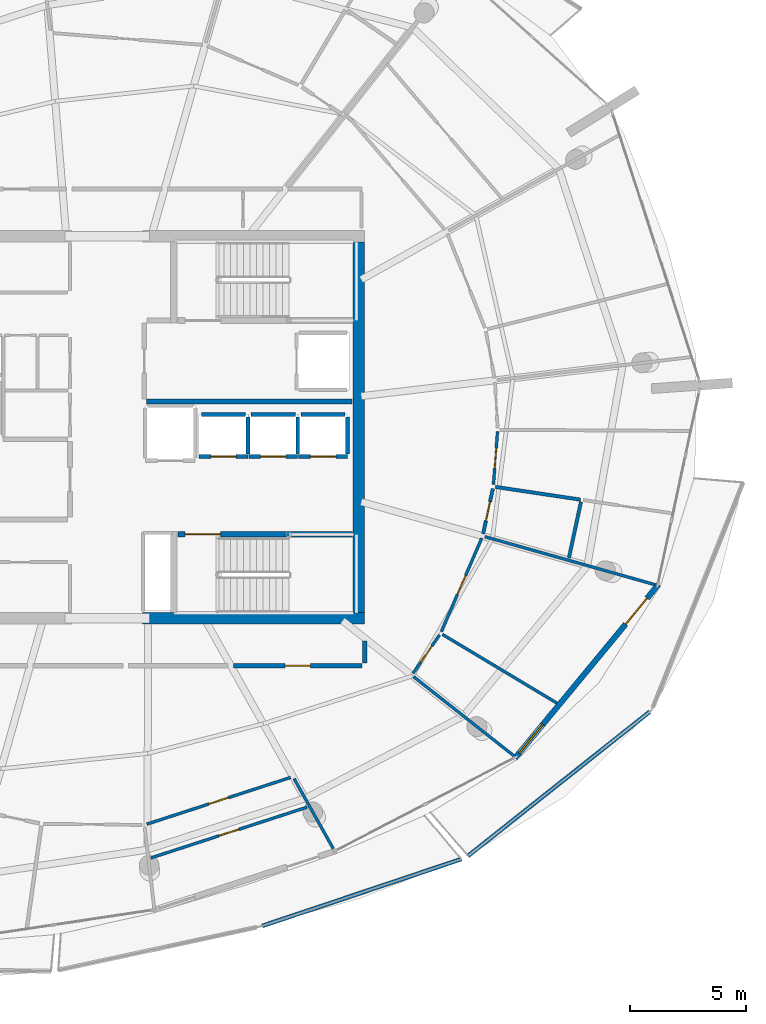
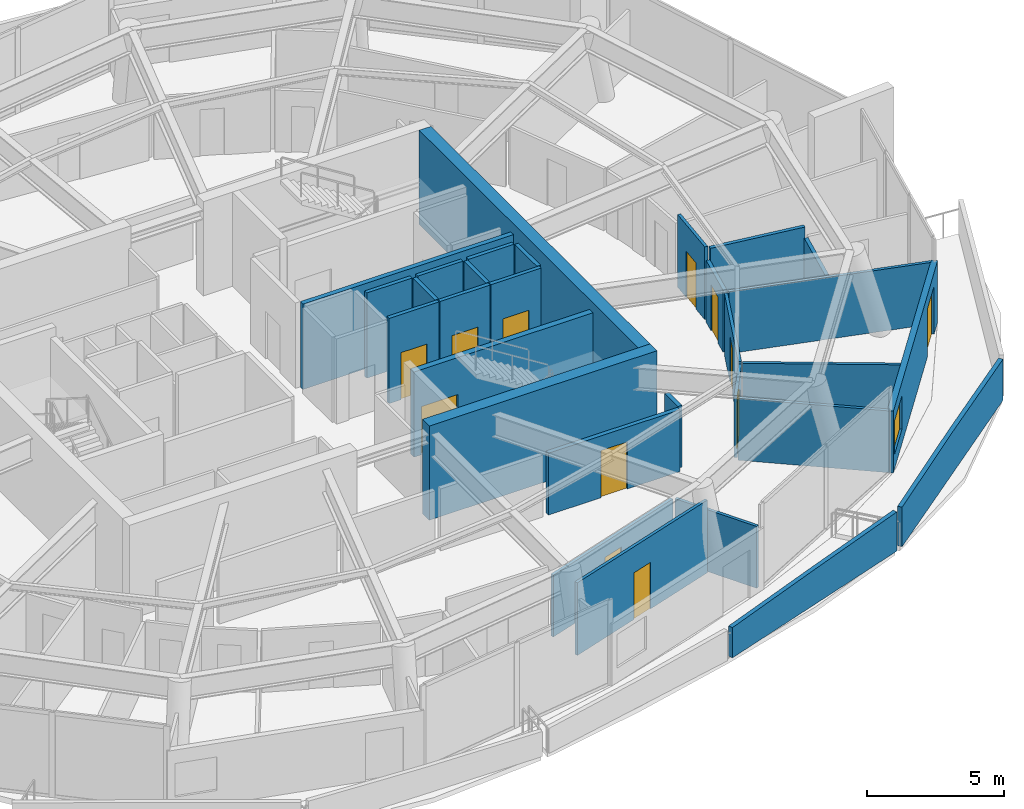
# One storey, part 11 of 19: 30 walls, 12 doors, 1 window, 13 openings.
"""IFC4 building model written with IfcOpenShell, lengths in metres."""

from ifc_helpers import new_model, si_unit, direction, frame, frame_2d, origin, place, context, subcontext, project, spatial, polyline, rectangle, outline, extrude, material, layer, layer_set, type_object, element, fill, save


model = new_model("IFC4")

# Units and contexts
model_context = context("Model", 3, precision=1e-05, world=origin(), true_north=direction((0.0, 1.0)))
body_context = subcontext(model_context, "Body", "Model", "MODEL_VIEW")
ifc_project = project(units=[si_unit("LENGTHUNIT", "METRE"), si_unit("AREAUNIT", "SQUARE_METRE"), si_unit("VOLUMEUNIT", "CUBIC_METRE"), si_unit("PLANEANGLEUNIT", "RADIAN"), si_unit("MASSUNIT", "GRAM", prefix="KILO")], contexts=[model_context])

# Site, building, storey
site_placement = place(None, origin())
site = spatial("IfcSite", under=ifc_project, at=site_placement, CompositionType="ELEMENT")
building_placement = place(site_placement, origin())
building = spatial("IfcBuilding", under=site, at=building_placement, Name="Kazma Halo Residences", CompositionType="ELEMENT")
storey_placement = place(building_placement, frame((0.0, 0.0, 347.300048828125)))
storey = spatial("IfcBuildingStorey", under=building, at=storey_placement, Name="L87", CompositionType="ELEMENT", Elevation=347.300048828125)

# Walls
ifc_material_1 = material(Name="White Concrete C50/60 Balustrade", Category="concrete")
ifc_layer_1 = layer(ifc_material_1, 0.179931640625)
ifc_layer_set_1 = layer_set([ifc_layer_1], Name="White Concrete C50/60 Balustrade")
wall_type_1 = type_object("IfcWallType", Name="WL-BAL-WAVE-180", PredefinedType="PARAPET", material=ifc_layer_set_1)
wall_1_placement = place(storey_placement, frame((55.124755859375, 20.460693359375, 0.0), z_axis=(0.0, 0.0, 1.0), x_axis=(0.948054956489, 0.318106585089, 0.0)))
element("IfcWall", 1, at=wall_1_placement, inside=storey, type_object=wall_type_1, Name="L87 white wave balustrade wall SSE.2", PredefinedType="PARAPET", context=body_context, shape_type="SweptSolid", body=[
    extrude(outline(polyline([(0.0, 0.0), (9.080078125, 0.0), (9.080078125, 1.7470703125), (4.5400390625, 1.56201171875), (0.0, 1.347900390625), (0.0, 0.0)])), frame((0.0, 0.08984375, 0.0), z_axis=(0.0, -1.0, 0.0), x_axis=(1.0, 0.0, 0.0)), (0.0, 0.0, 1.0), 0.179931640625),
])
wall_2_placement = place(storey_placement, frame((64.011962890625, 23.482666015625, 0.0), z_axis=(0.0, 0.0, 1.0), x_axis=(0.78337055778, 0.621554960727, 0.0)))
element("IfcWall", 2, at=wall_2_placement, inside=storey, type_object=wall_type_1, Name="L87 white wave balustrade wall SE.1", PredefinedType="PARAPET", context=body_context, shape_type="SweptSolid", body=[
    extrude(outline(polyline([(0.0, 0.0), (10.02880859375, 0.0), (10.02880859375, 1.83203125), (5.014404296875, 1.85302734375), (0.0, 1.755859375), (0.0, 0.0)])), frame((0.0, 0.08984375, 0.0), z_axis=(0.0, -1.0, 0.0), x_axis=(1.0, 0.0, 0.0)), (0.0, 0.0, 1.0), 0.179931640625),
])
ifc_material_2 = material(Name="Concrete C60/75", Category="concrete")
ifc_layer_2 = layer(ifc_material_2, 0.5)
ifc_layer_set_2 = layer_set([ifc_layer_2], Name="Concrete C60/75")
wall_type_2 = type_object("IfcWallType", Name="WL-CORE-500", PredefinedType="SHEAR", material=ifc_layer_set_2)
wall_3_placement = place(storey_placement, frame((49.949951171875, 33.75, 0.0), z_axis=(0.0, 0.0, 1.0), x_axis=(1.0, 0.0, 0.0)))
element("IfcWall", 3, at=wall_3_placement, inside=storey, type_object=wall_type_2, Name="L87 central core shear wall SE", PredefinedType="SHEAR", context=body_context, shape_type="SweptSolid", body=[
    extrude(rectangle(XDim=9.60009765625, YDim=0.5, at=frame_2d((4.800048828125, 0.0))), origin(), (0.0, 0.0, 1.0), 4.199951171875),
])
wall_4_placement = place(storey_placement, frame((59.300048828125, 34.0, 0.0), z_axis=(0.0, 0.0, 1.0), x_axis=(0.0, 1.0, 0.0)))
element("IfcWall", 4, at=wall_4_placement, inside=storey, type_object=wall_type_2, Name="L87 central core shear wall E", PredefinedType="SHEAR", context=body_context, shape_type="SweptSolid", body=[
    extrude(rectangle(XDim=16.0, YDim=0.5, at=frame_2d((8.0, 0.0))), origin(), (0.0, 0.0, 1.0), 4.199951171875),
])

# Wall, opening, door
ifc_material_3 = material(Name="Acoustic Twin-Stud Gypsum")
ifc_layer_3 = layer(ifc_material_3, 0.179931640625)
ifc_layer_set_3 = layer_set([ifc_layer_3], Name="Acoustic Twin-Stud Gypsum")
wall_type_3 = type_object("IfcWallType", Name="WL-DEM-180", PredefinedType="PARTITIONING", material=ifc_layer_set_3)
wall_5_placement = place(storey_placement, frame((53.88818359375, 31.699951171875, 0.0), z_axis=(0.0, 0.0, 1.0), x_axis=(1.0, 0.0, 0.0)))
wall_5 = element("IfcWall", 5, at=wall_5_placement, inside=storey, type_object=wall_type_3, Name="L87 Penthouse 2 entrance corridor wall", PredefinedType="PARTITIONING", context=body_context, shape_type="SweptSolid", body=[
    extrude(rectangle(XDim=5.541748046875, YDim=0.179931640625, at=frame_2d((2.77099609375, 0.0))), origin(), (0.0, 0.0, 1.0), 2.7568359375),
])
opening_1_placement = place(wall_5_placement, frame((2.220703125, 0.0, 0.0)))
opening_1 = element("IfcOpeningElement", 6, at=opening_1_placement, cuts=wall_5, Name="Opening DA-1100", PredefinedType="OPENING", context=body_context, shape_type="SweptSolid", body=[
    extrude(rectangle(XDim=1.10009765625, YDim=2.10009765625, at=frame_2d((0.550048828125, 1.050048828125))), frame((0.0, 0.099853515625, 0.0), z_axis=(0.0, -1.0, 0.0), x_axis=(1.0, 0.0, 0.0)), (0.0, 0.0, 1.0), 0.199951171875),
])
ifc_material_4 = material(Name="Acoustic Walnut Fire Leaf")
door_type_1 = type_object("IfcDoorType", Name="DR-FD60-1100", OperationType="NOTDEFINED", PredefinedType="DOOR", material=ifc_material_4)
door_1_placement = place(opening_1_placement, origin())
door_1 = element("IfcDoor", 7, at=door_1_placement, inside=storey, type_object=door_type_1, Name="L87 Penthouse 2 entrance fire door", OperationType="SINGLE_SWING_RIGHT", OverallHeight=2.10009765625, OverallWidth=1.10009765625, PredefinedType="DOOR", context=body_context, shape_type="SweptSolid", body=[
    extrude(rectangle(XDim=1.10009765625, YDim=2.10009765625, at=frame_2d((0.550048828125, 1.050048828125))), frame((0.0, 0.02490234375, 0.0), z_axis=(0.0, -1.0, 0.0), x_axis=(1.0, 0.0, 0.0)), (0.0, 0.0, 1.0), 0.050048828125),
])
fill(opening_1, door_1)

# Wall
wall_6_placement = place(storey_placement, frame((59.550048828125, 31.820068359375, 0.0), z_axis=(0.0, 0.0, 1.0), x_axis=(0.0, 1.0, 0.0)))
element("IfcWall", 8, at=wall_6_placement, inside=storey, type_object=wall_type_3, Name="L87 Penthouse 2 entrance corridor wall", PredefinedType="PARTITIONING", context=body_context, shape_type="SweptSolid", body=[
    extrude(rectangle(XDim=0.95458984375, YDim=0.179931640625, at=frame_2d((0.477294921875, 0.0))), origin(), (0.0, 0.0, 1.0), 2.7568359375),
])

# Wall, openings, door, window
ifc_material_5 = material(Name="Insulated Pale-Metal Composite Wall")
ifc_layer_4 = layer(ifc_material_5, 0.239990234375)
ifc_layer_set_4 = layer_set([ifc_layer_4], Name="Insulated Pale-Metal Composite Wall")
wall_type_4 = type_object("IfcWallType", Name="WL-EXT-HOST-240", PredefinedType="SOLIDWALL", material=ifc_layer_set_4)
wall_7_placement = place(storey_placement, frame((66.044677734375, 27.711181640625, 0.0), z_axis=(0.0, 0.0, 1.0), x_axis=(0.636803612721, 0.771026042897, 0.0)))
wall_7 = element("IfcWall", 9, at=wall_7_placement, inside=storey, type_object=wall_type_4, Name="L87 exterior terrace-access wall B14", PredefinedType="SOLIDWALL", context=body_context, shape_type="SweptSolid", body=[
    extrude(rectangle(XDim=9.7275390625, YDim=0.239990234375, at=frame_2d((4.86376953125, 0.0))), origin(), (0.0, 0.0, 1.0), 2.75),
])
opening_2_placement = place(wall_7_placement, frame((7.5078125, 0.0, 0.0)))
opening_2 = element("IfcOpeningElement", 10, at=opening_2_placement, cuts=wall_7, Name="Opening DTR-1600", PredefinedType="OPENING", context=body_context, shape_type="SweptSolid", body=[
    extrude(rectangle(XDim=1.449951171875, YDim=2.14990234375, at=frame_2d((0.72509765625, 1.074951171875))), frame((0.0, 0.1298828125, 0.0), z_axis=(0.0, -1.0, 0.0), x_axis=(1.0, 0.0, 0.0)), (0.0, 0.0, 1.0), 0.260009765625),
])
opening_3_placement = place(wall_7_placement, frame((0.280029296875, 0.0, 0.64990234375)))
opening_3 = element("IfcOpeningElement", 11, at=opening_3_placement, cuts=wall_7, Name="Opening W-1800", PredefinedType="OPENING", context=body_context, shape_type="SweptSolid", body=[
    extrude(rectangle(XDim=1.60009765625, YDim=1.5, at=frame_2d((0.800048828125, 0.75))), frame((0.0, 0.1298828125, 0.0), z_axis=(0.0, -1.0, 0.0), x_axis=(1.0, 0.0, 0.0)), (0.0, 0.0, 1.0), 0.260009765625),
])
ifc_material_6 = material(Name="Aluminium AW-6063 T6 Double-Glazed Terrace Door", Category="aluminium")
door_type_2 = type_object("IfcDoorType", Name="DR-EXT-TERR-1600", OperationType="NOTDEFINED", PredefinedType="DOOR", material=ifc_material_6)
door_2_placement = place(opening_2_placement, origin())
door_2 = element("IfcDoor", 12, at=door_2_placement, inside=storey, type_object=door_type_2, Name="L87 B14 balcony terrace door", OperationType="DOUBLE_DOOR_SLIDING", OverallHeight=2.14990234375, OverallWidth=1.449951171875, PredefinedType="DOOR", context=body_context, shape_type="SweptSolid", body=[
    extrude(rectangle(XDim=1.449951171875, YDim=2.14990234375, at=frame_2d((0.72509765625, 1.074951171875))), frame((0.0, 0.02490234375, 0.0), z_axis=(0.0, -1.0, 0.0), x_axis=(1.0, 0.0, 0.0)), (0.0, 0.0, 1.0), 0.050048828125),
])
fill(opening_2, door_2)
ifc_material_7 = material(Name="Clear Triple-Silver Low-E Glass in Aluminium AW-6063 T6 Frame", Category="aluminium")
window_type = type_object("IfcWindowType", Name="WIN-RES-1800", PartitioningType="DOUBLE_PANEL_VERTICAL", PredefinedType="WINDOW", material=ifc_material_7)
window_placement = place(opening_3_placement, origin())
window = element("IfcWindow", 13, at=window_placement, inside=storey, type_object=window_type, Name="L87 B14 apartment window", OverallHeight=1.5, OverallWidth=1.60009765625, PartitioningType="SINGLE_PANEL", PredefinedType="WINDOW", context=body_context, shape_type="SweptSolid", body=[
    extrude(rectangle(XDim=1.60009765625, YDim=1.5, at=frame_2d((0.800048828125, 0.75))), frame((0.0, 0.030029296875, 0.0), z_axis=(0.0, -1.0, 0.0), x_axis=(1.0, 0.0, 0.0)), (0.0, 0.0, 1.0), 0.06005859375),
])
fill(opening_3, window)

# Wall, opening, door
ifc_material_8 = material(Name="Fire-Rated Blockwork Masonry", Category="masonry")
ifc_layer_5 = layer(ifc_material_8, 0.199951171875)
ifc_layer_set_5 = layer_set([ifc_layer_5], Name="Fire-Rated Blockwork Masonry")
wall_type_5 = type_object("IfcWallType", Name="WL-FLB-200", PredefinedType="PARTITIONING", material=ifc_layer_set_5)
wall_8_placement = place(storey_placement, frame((54.5048828125, 40.7451171875, 0.0), z_axis=(0.0, 0.0, 1.0), x_axis=(-1.0, 0.0, 0.0)))
wall_8 = element("IfcWall", 14, at=wall_8_placement, inside=storey, type_object=wall_type_5, Name="L87 lift shaft PH-01 front wall", PredefinedType="PARTITIONING", context=body_context, shape_type="SweptSolid", body=[
    extrude(rectangle(XDim=2.10986328125, YDim=0.159912109375, at=frame_2d((1.054931640625, 0.0))), origin(), (0.0, 0.0, 1.0), 3.800048828125),
])
opening_4_placement = place(wall_8_placement, frame((0.5048828125, 0.0, 0.0)))
opening_4 = element("IfcOpeningElement", 15, at=opening_4_placement, cuts=wall_8, Name="Opening LD-PH-01", PredefinedType="OPENING", context=body_context, shape_type="SweptSolid", body=[
    extrude(rectangle(XDim=1.10009765625, YDim=2.10009765625, at=frame_2d((0.550048828125, 1.050048828125))), frame((0.0, 0.08984375, 0.0), z_axis=(0.0, -1.0, 0.0), x_axis=(1.0, 0.0, 0.0)), (0.0, 0.0, 1.0), 0.179931640625),
])
ifc_material_9 = material(Name="Stainless Steel Fire-Rated", Category="steel")
door_type_3 = type_object("IfcDoorType", Name="DR-LIFT-SLD-1100", OperationType="DOUBLE_DOOR_SLIDING", PredefinedType="DOOR", material=ifc_material_9)
door_3_placement = place(opening_4_placement, origin())
door_3 = element("IfcDoor", 16, at=door_3_placement, inside=storey, type_object=door_type_3, Name="L87 lift PH-01 sliding landing door", OperationType="DOUBLE_DOOR_SLIDING", OverallHeight=2.10009765625, OverallWidth=1.10009765625, PredefinedType="DOOR", context=body_context, shape_type="SweptSolid", body=[
    extrude(rectangle(XDim=1.10009765625, YDim=2.10009765625, at=frame_2d((0.550048828125, 1.050048828125))), frame((0.0, 0.02490234375, 0.0), z_axis=(0.0, -1.0, 0.0), x_axis=(1.0, 0.0, 0.0)), (0.0, 0.0, 1.0), 0.050048828125),
])
fill(opening_4, door_3)

# Walls
wall_9_placement = place(storey_placement, frame((54.5048828125, 40.844970703125, 0.0), z_axis=(0.0, 0.0, 1.0), x_axis=(0.0, 1.0, 0.0)))
element("IfcWall", 17, at=wall_9_placement, inside=storey, type_object=wall_type_5, Name="L87 lift shaft PH-01 side wall E", PredefinedType="PARTITIONING", context=body_context, shape_type="SweptSolid", body=[
    extrude(rectangle(XDim=1.610107421875, YDim=0.159912109375, at=frame_2d((0.80517578125, 0.0))), origin(), (0.0, 0.0, 1.0), 3.800048828125),
])
wall_10_placement = place(storey_placement, frame((52.4951171875, 42.554931640625, 0.0), z_axis=(0.0, 0.0, 1.0), x_axis=(1.0, 0.0, 0.0)))
element("IfcWall", 18, at=wall_10_placement, inside=storey, type_object=wall_type_5, Name="L87 lift shaft PH-01 side wall N", PredefinedType="PARTITIONING", context=body_context, shape_type="SweptSolid", body=[
    extrude(rectangle(XDim=1.909912109375, YDim=0.159912109375, at=frame_2d((0.955078125, 0.0))), origin(), (0.0, 0.0, 1.0), 3.800048828125),
])

# Wall, opening, door
wall_11_placement = place(storey_placement, frame((56.655029296875, 40.7451171875, 0.0), z_axis=(0.0, 0.0, 1.0), x_axis=(-1.0, 0.0, 0.0)))
wall_11 = element("IfcWall", 19, at=wall_11_placement, inside=storey, type_object=wall_type_5, Name="L87 lift shaft PH-02 front wall", PredefinedType="PARTITIONING", context=body_context, shape_type="SweptSolid", body=[
    extrude(rectangle(XDim=2.110107421875, YDim=0.159912109375, at=frame_2d((1.05517578125, 0.0))), origin(), (0.0, 0.0, 1.0), 3.800048828125),
])
opening_5_placement = place(wall_11_placement, frame((0.5048828125, 0.0, 0.0)))
opening_5 = element("IfcOpeningElement", 20, at=opening_5_placement, cuts=wall_11, Name="Opening LD-PH-02", PredefinedType="OPENING", context=body_context, shape_type="SweptSolid", body=[
    extrude(rectangle(XDim=1.10009765625, YDim=2.10009765625, at=frame_2d((0.550048828125, 1.050048828125))), frame((0.0, 0.08984375, 0.0), z_axis=(0.0, -1.0, 0.0), x_axis=(1.0, 0.0, 0.0)), (0.0, 0.0, 1.0), 0.179931640625),
])
door_4_placement = place(opening_5_placement, origin())
door_4 = element("IfcDoor", 21, at=door_4_placement, inside=storey, type_object=door_type_3, Name="L87 lift PH-02 sliding landing door", OperationType="DOUBLE_DOOR_SLIDING", OverallHeight=2.10009765625, OverallWidth=1.10009765625, PredefinedType="DOOR", context=body_context, shape_type="SweptSolid", body=[
    extrude(rectangle(XDim=1.10009765625, YDim=2.10009765625, at=frame_2d((0.550048828125, 1.050048828125))), frame((0.0, 0.02490234375, 0.0), z_axis=(0.0, -1.0, 0.0), x_axis=(1.0, 0.0, 0.0)), (0.0, 0.0, 1.0), 0.050048828125),
])
fill(opening_5, door_4)

# Walls
wall_12_placement = place(storey_placement, frame((56.655029296875, 40.844970703125, 0.0), z_axis=(0.0, 0.0, 1.0), x_axis=(0.0, 1.0, 0.0)))
element("IfcWall", 22, at=wall_12_placement, inside=storey, type_object=wall_type_5, Name="L87 lift shaft PH-02 side wall E", PredefinedType="PARTITIONING", context=body_context, shape_type="SweptSolid", body=[
    extrude(rectangle(XDim=1.610107421875, YDim=0.159912109375, at=frame_2d((0.80517578125, 0.0))), origin(), (0.0, 0.0, 1.0), 3.800048828125),
])
wall_13_placement = place(storey_placement, frame((54.64501953125, 42.554931640625, 0.0), z_axis=(0.0, 0.0, 1.0), x_axis=(1.0, 0.0, 0.0)))
element("IfcWall", 23, at=wall_13_placement, inside=storey, type_object=wall_type_5, Name="L87 lift shaft PH-02 side wall N", PredefinedType="PARTITIONING", context=body_context, shape_type="SweptSolid", body=[
    extrude(rectangle(XDim=1.909912109375, YDim=0.159912109375, at=frame_2d((0.955078125, 0.0))), origin(), (0.0, 0.0, 1.0), 3.800048828125),
])

# Wall, opening, door
wall_14_placement = place(storey_placement, frame((58.804931640625, 40.7451171875, 0.0), z_axis=(0.0, 0.0, 1.0), x_axis=(-1.0, 0.0, 0.0)))
wall_14 = element("IfcWall", 24, at=wall_14_placement, inside=storey, type_object=wall_type_5, Name="L87 lift shaft PH-03 front wall", PredefinedType="PARTITIONING", context=body_context, shape_type="SweptSolid", body=[
    extrude(rectangle(XDim=2.10986328125, YDim=0.159912109375, at=frame_2d((1.054931640625, 0.0))), origin(), (0.0, 0.0, 1.0), 3.800048828125),
])
opening_6_placement = place(wall_14_placement, frame((0.5048828125, 0.0, 0.0)))
opening_6 = element("IfcOpeningElement", 25, at=opening_6_placement, cuts=wall_14, Name="Opening LD-PH-03", PredefinedType="OPENING", context=body_context, shape_type="SweptSolid", body=[
    extrude(rectangle(XDim=1.10009765625, YDim=2.10009765625, at=frame_2d((0.550048828125, 1.050048828125))), frame((0.0, 0.08984375, 0.0), z_axis=(0.0, -1.0, 0.0), x_axis=(1.0, 0.0, 0.0)), (0.0, 0.0, 1.0), 0.179931640625),
])
door_5_placement = place(opening_6_placement, origin())
door_5 = element("IfcDoor", 26, at=door_5_placement, inside=storey, type_object=door_type_3, Name="L87 lift PH-03 sliding landing door", OperationType="DOUBLE_DOOR_SLIDING", OverallHeight=2.10009765625, OverallWidth=1.10009765625, PredefinedType="DOOR", context=body_context, shape_type="SweptSolid", body=[
    extrude(rectangle(XDim=1.10009765625, YDim=2.10009765625, at=frame_2d((0.550048828125, 1.050048828125))), frame((0.0, 0.02490234375, 0.0), z_axis=(0.0, -1.0, 0.0), x_axis=(1.0, 0.0, 0.0)), (0.0, 0.0, 1.0), 0.050048828125),
])
fill(opening_6, door_5)

# Walls
wall_15_placement = place(storey_placement, frame((58.804931640625, 40.844970703125, 0.0), z_axis=(0.0, 0.0, 1.0), x_axis=(0.0, 1.0, 0.0)))
element("IfcWall", 27, at=wall_15_placement, inside=storey, type_object=wall_type_5, Name="L87 lift shaft PH-03 side wall E", PredefinedType="PARTITIONING", context=body_context, shape_type="SweptSolid", body=[
    extrude(rectangle(XDim=1.610107421875, YDim=0.159912109375, at=frame_2d((0.80517578125, 0.0))), origin(), (0.0, 0.0, 1.0), 3.800048828125),
])
wall_16_placement = place(storey_placement, frame((56.794921875, 42.554931640625, 0.0), z_axis=(0.0, 0.0, 1.0), x_axis=(1.0, 0.0, 0.0)))
element("IfcWall", 28, at=wall_16_placement, inside=storey, type_object=wall_type_5, Name="L87 lift shaft PH-03 side wall N", PredefinedType="PARTITIONING", context=body_context, shape_type="SweptSolid", body=[
    extrude(rectangle(XDim=1.91015625, YDim=0.159912109375, at=frame_2d((0.955078125, 0.0))), origin(), (0.0, 0.0, 1.0), 3.800048828125),
])
wall_17_placement = place(storey_placement, frame((50.1201171875, 43.1201171875, 0.0), z_axis=(0.0, 0.0, 1.0), x_axis=(1.0, 0.0, 0.0)))
element("IfcWall", 29, at=wall_17_placement, inside=storey, type_object=wall_type_5, Name="L87 east firefighting lobby south smoke wall", PredefinedType="PARTITIONING", context=body_context, shape_type="SweptSolid", body=[
    extrude(rectangle(XDim=8.8798828125, YDim=0.199951171875, at=frame_2d((4.43994140625, 0.0))), origin(), (0.0, 0.0, 1.0), 3.800048828125),
])
ifc_material_10 = material(Name="Gypsum Plasterboard Partition")
ifc_layer_6 = layer(ifc_material_10, 0.125)
ifc_layer_set_6 = layer_set([ifc_layer_6], Name="Gypsum Plasterboard Partition")
wall_type_6 = type_object("IfcWallType", Name="WL-PART-125", PredefinedType="PARTITIONING", material=ifc_layer_set_6)
wall_18_placement = place(storey_placement, frame((56.5, 26.822021484375, 0.0), z_axis=(0.0, 0.0, 1.0), x_axis=(0.488618382742, -0.872497608047, 0.0)))
element("IfcWall", 30, at=wall_18_placement, inside=storey, type_object=wall_type_6, Name="L87 Penthouse 2 living radial partition 11", PredefinedType="PARTITIONING", context=body_context, shape_type="SweptSolid", body=[
    extrude(rectangle(XDim=3.466064453125, YDim=0.125, at=frame_2d((1.73291015625, 0.0))), origin(), (0.0, 0.0, 1.0), 2.7568359375),
])

# Wall, opening, door
wall_19_placement = place(storey_placement, frame((50.137451171875, 24.85791015625, 0.0), z_axis=(0.0, 0.0, 1.0), x_axis=(0.95106401822, 0.30899390487, 0.0)))
wall_19 = element("IfcWall", 31, at=wall_19_placement, inside=storey, type_object=wall_type_6, Name="L87 Penthouse 2 Inner Study hall wall", PredefinedType="PARTITIONING", context=body_context, shape_type="SweptSolid", body=[
    extrude(rectangle(XDim=6.52880859375, YDim=0.125, at=frame_2d((3.264404296875, 0.0))), origin(), (0.0, 0.0, 1.0), 2.7568359375),
])
opening_7_placement = place(wall_19_placement, frame((2.814208984375, 0.0, 0.0)))
opening_7 = element("IfcOpeningElement", 32, at=opening_7_placement, cuts=wall_19, Name="Opening DI-950", PredefinedType="OPENING", context=body_context, shape_type="SweptSolid", body=[
    extrude(rectangle(XDim=0.89990234375, YDim=2.080078125, at=frame_2d((0.449951171875, 1.0400390625))), frame((0.0, 0.072509765625, 0.0), z_axis=(0.0, -1.0, 0.0), x_axis=(1.0, 0.0, 0.0)), (0.0, 0.0, 1.0), 0.14501953125),
])
ifc_material_11 = material(Name="Timber Veneer Flush Leaf", Category="wood")
door_type_4 = type_object("IfcDoorType", Name="DR-INT-950", OperationType="NOTDEFINED", PredefinedType="DOOR", material=ifc_material_11)
door_6_placement = place(opening_7_placement, origin())
door_6 = element("IfcDoor", 33, at=door_6_placement, inside=storey, type_object=door_type_4, Name="L87 Penthouse 2 Inner Study door", OperationType="SINGLE_SWING_LEFT", OverallHeight=2.080078125, OverallWidth=0.89990234375, PredefinedType="DOOR", context=body_context, shape_type="SweptSolid", body=[
    extrude(rectangle(XDim=0.89990234375, YDim=2.080078125, at=frame_2d((0.449951171875, 1.0400390625))), frame((0.0, 0.02490234375, 0.0), z_axis=(0.0, -1.0, 0.0), x_axis=(1.0, 0.0, 0.0)), (0.0, 0.0, 1.0), 0.050048828125),
])
fill(opening_7, door_6)

wall_20_placement = place(storey_placement, frame((50.310302734375, 23.398193359375, 0.0), z_axis=(0.0, 0.0, 1.0), x_axis=(0.951062105288, 0.308999792693, 0.0)))
wall_20 = element("IfcWall", 34, at=wall_20_placement, inside=storey, type_object=wall_type_6, Name="L87 Penthouse 2 Outer Bedroom divider wall", PredefinedType="PARTITIONING", context=body_context, shape_type="SweptSolid", body=[
    extrude(rectangle(XDim=7.102294921875, YDim=0.125, at=frame_2d((3.55126953125, 0.0))), origin(), (0.0, 0.0, 1.0), 3.239990234375),
])
opening_8_placement = place(wall_20_placement, frame((3.10107421875, 0.0, 0.0)))
opening_8 = element("IfcOpeningElement", 35, at=opening_8_placement, cuts=wall_20, Name="Opening DI-950", PredefinedType="OPENING", context=body_context, shape_type="SweptSolid", body=[
    extrude(rectangle(XDim=0.89990234375, YDim=2.080078125, at=frame_2d((0.449951171875, 1.0400390625))), frame((0.0, 0.072509765625, 0.0), z_axis=(0.0, -1.0, 0.0), x_axis=(1.0, 0.0, 0.0)), (0.0, 0.0, 1.0), 0.14501953125),
])
door_7_placement = place(opening_8_placement, origin())
door_7 = element("IfcDoor", 36, at=door_7_placement, inside=storey, type_object=door_type_4, Name="L87 Penthouse 2 Outer Bedroom door", OperationType="SINGLE_SWING_RIGHT", OverallHeight=2.080078125, OverallWidth=0.89990234375, PredefinedType="DOOR", context=body_context, shape_type="SweptSolid", body=[
    extrude(rectangle(XDim=0.89990234375, YDim=2.080078125, at=frame_2d((0.449951171875, 1.0400390625))), frame((0.0, 0.02490234375, 0.0), z_axis=(0.0, -1.0, 0.0), x_axis=(1.0, 0.0, 0.0)), (0.0, 0.0, 1.0), 0.050048828125),
])
fill(opening_8, door_7)

# Walls
wall_21_placement = place(storey_placement, frame((61.661376953125, 31.230224609375, 0.0), z_axis=(0.0, 0.0, 1.0), x_axis=(0.785321366699, -0.61908832246, 0.0)))
element("IfcWall", 37, at=wall_21_placement, inside=storey, type_object=wall_type_6, Name="L87 Penthouse 2 radial partition 13", PredefinedType="PARTITIONING", context=body_context, shape_type="SweptSolid", body=[
    extrude(rectangle(XDim=5.59716796875, YDim=0.125, at=frame_2d((2.798583984375, 0.0))), origin(), (0.0, 0.0, 1.0), 2.7568359375),
])
wall_22_placement = place(storey_placement, frame((62.908935546875, 33.055908203125, 0.0), z_axis=(0.0, 0.0, 1.0), x_axis=(0.857530307065, -0.514433448043, 0.0)))
element("IfcWall", 38, at=wall_22_placement, inside=storey, type_object=wall_type_6, Name="L87 Penthouse 2 mid-bay wall 13", PredefinedType="PARTITIONING", context=body_context, shape_type="SweptSolid", body=[
    extrude(rectangle(XDim=5.762451171875, YDim=0.125, at=frame_2d((2.88134765625, 0.0))), origin(), (0.0, 0.0, 1.0), 2.77490234375),
])

# Wall, opening, door
wall_23_placement = place(storey_placement, frame((61.6396484375, 31.37451171875, 0.0), z_axis=(0.0, 0.0, 1.0), x_axis=(0.567882687213, 0.823109502778, 0.0)))
wall_23 = element("IfcWall", 39, at=wall_23_placement, inside=storey, type_object=wall_type_6, Name="L87 Penthouse 2 Corner Private Study hall wall", PredefinedType="PARTITIONING", context=body_context, shape_type="SweptSolid", body=[
    extrude(rectangle(XDim=2.019287109375, YDim=0.125, at=frame_2d((1.009765625, 0.0))), origin(), (0.0, 0.0, 1.0), 2.7568359375),
])
opening_9_placement = place(wall_23_placement, frame((0.584716796875, 0.0, 0.0)))
opening_9 = element("IfcOpeningElement", 40, at=opening_9_placement, cuts=wall_23, Name="Opening DB-900", PredefinedType="OPENING", context=body_context, shape_type="SweptSolid", body=[
    extrude(rectangle(XDim=0.85009765625, YDim=2.06005859375, at=frame_2d((0.425048828125, 1.030029296875))), frame((0.0, 0.072509765625, 0.0), z_axis=(0.0, -1.0, 0.0), x_axis=(1.0, 0.0, 0.0)), (0.0, 0.0, 1.0), 0.14501953125),
])
ifc_material_12 = material(Name="Moisture-Sealed Timber Leaf", Category="wood")
door_type_5 = type_object("IfcDoorType", Name="DR-BTH-900", OperationType="NOTDEFINED", PredefinedType="DOOR", material=ifc_material_12)
door_8_placement = place(opening_9_placement, origin())
door_8 = element("IfcDoor", 41, at=door_8_placement, inside=storey, type_object=door_type_5, Name="L87 Penthouse 2 Corner Private Study door", OperationType="SINGLE_SWING_LEFT", OverallHeight=2.06005859375, OverallWidth=0.85009765625, PredefinedType="DOOR", context=body_context, shape_type="SweptSolid", body=[
    extrude(rectangle(XDim=0.85009765625, YDim=2.06005859375, at=frame_2d((0.425048828125, 1.030029296875))), frame((0.0, 0.02490234375, 0.0), z_axis=(0.0, -1.0, 0.0), x_axis=(1.0, 0.0, 0.0)), (0.0, 0.0, 1.0), 0.050048828125),
])
fill(opening_9, door_8)

wall_24_placement = place(storey_placement, frame((62.863525390625, 33.17578125, 0.0), z_axis=(0.0, 0.0, 1.0), x_axis=(0.396416875537, 0.918070618629, 0.0)))
wall_24 = element("IfcWall", 42, at=wall_24_placement, inside=storey, type_object=wall_type_6, Name="L87 Penthouse 2 Garden Master Bedroom hall wall", PredefinedType="PARTITIONING", context=body_context, shape_type="SweptSolid", body=[
    extrude(rectangle(XDim=4.39794921875, YDim=0.125, at=frame_2d((2.198974609375, 0.0))), origin(), (0.0, 0.0, 1.0), 2.7568359375),
])
opening_10_placement = place(wall_24_placement, frame((1.7490234375, 0.0, 0.0)))
opening_10 = element("IfcOpeningElement", 43, at=opening_10_placement, cuts=wall_24, Name="Opening DI-950", PredefinedType="OPENING", context=body_context, shape_type="SweptSolid", body=[
    extrude(rectangle(XDim=0.89990234375, YDim=2.080078125, at=frame_2d((0.449951171875, 1.0400390625))), frame((0.0, 0.072509765625, 0.0), z_axis=(0.0, -1.0, 0.0), x_axis=(1.0, 0.0, 0.0)), (0.0, 0.0, 1.0), 0.14501953125),
])
door_9_placement = place(opening_10_placement, origin())
door_9 = element("IfcDoor", 44, at=door_9_placement, inside=storey, type_object=door_type_4, Name="L87 Penthouse 2 Garden Master Bedroom door", OperationType="SINGLE_SWING_RIGHT", OverallHeight=2.080078125, OverallWidth=0.89990234375, PredefinedType="DOOR", context=body_context, shape_type="SweptSolid", body=[
    extrude(rectangle(XDim=0.89990234375, YDim=2.080078125, at=frame_2d((0.449951171875, 1.0400390625))), frame((0.0, 0.02490234375, 0.0), z_axis=(0.0, -1.0, 0.0), x_axis=(1.0, 0.0, 0.0)), (0.0, 0.0, 1.0), 0.050048828125),
])
fill(opening_10, door_9)

# Wall
wall_25_placement = place(storey_placement, frame((64.742919921875, 37.278076171875, 0.0), z_axis=(0.0, 0.0, 1.0), x_axis=(0.962455248497, -0.271440407162, 0.0)))
element("IfcWall", 45, at=wall_25_placement, inside=storey, type_object=wall_type_6, Name="L87 Penthouse 2 radial partition 14", PredefinedType="PARTITIONING", context=body_context, shape_type="SweptSolid", body=[
    extrude(rectangle(XDim=7.630615234375, YDim=0.125, at=frame_2d((3.8154296875, 0.0))), origin(), (0.0, 0.0, 1.0), 2.7568359375),
])

# Wall, opening, door
wall_26_placement = place(storey_placement, frame((65.11279296875, 39.53173828125, 0.0), z_axis=(0.0, 0.0, 1.0), x_axis=(0.077136447431, 0.997020545665, 0.0)))
wall_26 = element("IfcWall", 46, at=wall_26_placement, inside=storey, type_object=wall_type_6, Name="L87 Penthouse 2 Primary Private Study hall wall", PredefinedType="PARTITIONING", context=body_context, shape_type="SweptSolid", body=[
    extrude(rectangle(XDim=2.29150390625, YDim=0.125, at=frame_2d((1.145751953125, 0.0))), origin(), (0.0, 0.0, 1.0), 3.239990234375),
])
opening_11_placement = place(wall_26_placement, frame((0.720703125, 0.0, 0.0)))
opening_11 = element("IfcOpeningElement", 47, at=opening_11_placement, cuts=wall_26, Name="Opening DB-900", PredefinedType="OPENING", context=body_context, shape_type="SweptSolid", body=[
    extrude(rectangle(XDim=0.85009765625, YDim=2.06005859375, at=frame_2d((0.425048828125, 1.030029296875))), frame((0.0, 0.072509765625, 0.0), z_axis=(0.0, -1.0, 0.0), x_axis=(1.0, 0.0, 0.0)), (0.0, 0.0, 1.0), 0.14501953125),
])
door_10_placement = place(opening_11_placement, origin())
door_10 = element("IfcDoor", 48, at=door_10_placement, inside=storey, type_object=door_type_5, Name="L87 Penthouse 2 Primary Private Study door", OperationType="SINGLE_SWING_RIGHT", OverallHeight=2.06005859375, OverallWidth=0.85009765625, PredefinedType="DOOR", context=body_context, shape_type="SweptSolid", body=[
    extrude(rectangle(XDim=0.85009765625, YDim=2.06005859375, at=frame_2d((0.425048828125, 1.030029296875))), frame((0.0, 0.02490234375, 0.0), z_axis=(0.0, -1.0, 0.0), x_axis=(1.0, 0.0, 0.0)), (0.0, 0.0, 1.0), 0.050048828125),
])
fill(opening_11, door_10)

ifc_material_13 = material(Name="Concrete C50/60", Category="concrete")
ifc_layer_7 = layer(ifc_material_13, 0.25)
ifc_layer_set_7 = layer_set([ifc_layer_7], Name="Concrete C50/60")
wall_type_7 = type_object("IfcWallType", Name="WL-SHF-250", PredefinedType="SOLIDWALL", material=ifc_layer_set_7)
wall_27_placement = place(storey_placement, frame((51.47998046875, 37.3798828125, 0.0), z_axis=(0.0, 0.0, 1.0), x_axis=(1.0, 0.0, 0.0)))
wall_27 = element("IfcWall", 49, at=wall_27_placement, inside=storey, type_object=wall_type_7, Name="L87 exit stair ST-03 enclosure wall", PredefinedType="SOLIDWALL", context=body_context, shape_type="SweptSolid", body=[
    extrude(rectangle(XDim=7.5400390625, YDim=0.25, at=frame_2d((3.77001953125, 0.0))), origin(), (0.0, 0.0, 1.0), 3.800048828125),
])
opening_12_placement = place(wall_27_placement, frame((0.300048828125, 0.0, 0.0)))
opening_12 = element("IfcOpeningElement", 50, at=opening_12_placement, cuts=wall_27, Name="Opening D-ST3", PredefinedType="OPENING", context=body_context, shape_type="SweptSolid", body=[
    extrude(rectangle(XDim=1.550048828125, YDim=2.14990234375, at=frame_2d((0.77490234375, 1.074951171875))), frame((0.0, 0.135009765625, 0.0), z_axis=(0.0, -1.0, 0.0), x_axis=(1.0, 0.0, 0.0)), (0.0, 0.0, 1.0), 0.27001953125),
])
ifc_material_14 = material(Name="Fire-Rated Double Steel Leaf", Category="steel")
door_type_6 = type_object("IfcDoorType", Name="DR-FD90-1550", OperationType="NOTDEFINED", PredefinedType="DOOR", material=ifc_material_14)
door_11_placement = place(opening_12_placement, origin())
door_11 = element("IfcDoor", 51, at=door_11_placement, inside=storey, type_object=door_type_6, Name="L87 exit stair ST-03 fire door", OperationType="DOUBLE_DOOR_SINGLE_SWING", OverallHeight=2.14990234375, OverallWidth=1.550048828125, PredefinedType="DOOR", context=body_context, shape_type="SweptSolid", body=[
    extrude(rectangle(XDim=1.550048828125, YDim=2.14990234375, at=frame_2d((0.77490234375, 1.074951171875))), frame((0.0, 0.02490234375, 0.0), z_axis=(0.0, -1.0, 0.0), x_axis=(1.0, 0.0, 0.0)), (0.0, 0.0, 1.0), 0.050048828125),
])
fill(opening_12, door_11)

ifc_material_15 = material(Name="Moisture-Resistant Gypsum")
ifc_layer_8 = layer(ifc_material_15, 0.14990234375)
ifc_layer_set_8 = layer_set([ifc_layer_8], Name="Moisture-Resistant Gypsum")
wall_type_8 = type_object("IfcWallType", Name="WL-WET-150", PredefinedType="PARTITIONING", material=ifc_layer_set_8)
wall_28_placement = place(storey_placement, frame((64.66748046875, 37.403076171875, 0.0), z_axis=(0.0, 0.0, 1.0), x_axis=(0.210189108437, 0.977660748263, 0.0)))
wall_28 = element("IfcWall", 52, at=wall_28_placement, inside=storey, type_object=wall_type_8, Name="L87 Penthouse 2 Sky En-Suite Bathroom hall wall", PredefinedType="PARTITIONING", context=body_context, shape_type="SweptSolid", body=[
    extrude(rectangle(XDim=1.99560546875, YDim=0.14990234375, at=frame_2d((0.997802734375, 0.0))), origin(), (0.0, 0.0, 1.0), 2.7568359375),
])
opening_13_placement = place(wall_28_placement, frame((0.57275390625, 0.0, 0.0)))
opening_13 = element("IfcOpeningElement", 53, at=opening_13_placement, cuts=wall_28, Name="Opening DB-900", PredefinedType="OPENING", context=body_context, shape_type="SweptSolid", body=[
    extrude(rectangle(XDim=0.85009765625, YDim=2.06005859375, at=frame_2d((0.425048828125, 1.030029296875))), frame((0.0, 0.0849609375, 0.0), z_axis=(0.0, -1.0, 0.0), x_axis=(1.0, 0.0, 0.0)), (0.0, 0.0, 1.0), 0.169921875),
])
door_12_placement = place(opening_13_placement, origin())
door_12 = element("IfcDoor", 54, at=door_12_placement, inside=storey, type_object=door_type_5, Name="L87 Penthouse 2 Sky En-Suite Bathroom door", OperationType="SINGLE_SWING_RIGHT", OverallHeight=2.06005859375, OverallWidth=0.85009765625, PredefinedType="DOOR", context=body_context, shape_type="SweptSolid", body=[
    extrude(rectangle(XDim=0.85009765625, YDim=2.06005859375, at=frame_2d((0.425048828125, 1.030029296875))), frame((0.0, 0.02490234375, 0.0), z_axis=(0.0, -1.0, 0.0), x_axis=(1.0, 0.0, 0.0)), (0.0, 0.0, 1.0), 0.050048828125),
])
fill(opening_13, door_12)

# Walls
wall_29_placement = place(storey_placement, frame((68.373046875, 36.35791015625, 0.0), z_axis=(0.0, 0.0, 1.0), x_axis=(0.210093294538, 0.97768134256, 0.0)))
element("IfcWall", 55, at=wall_29_placement, inside=storey, type_object=wall_type_8, Name="L87 Penthouse 2 Sky En-Suite Bathroom back wall", PredefinedType="PARTITIONING", context=body_context, shape_type="SweptSolid", body=[
    extrude(rectangle(XDim=2.482177734375, YDim=0.14990234375, at=frame_2d((1.2412109375, 0.0))), origin(), (0.0, 0.0, 1.0), 2.7568359375),
])
wall_30_placement = place(storey_placement, frame((65.19482421875, 39.4287109375, 0.0), z_axis=(0.0, 0.0, 1.0), x_axis=(0.988997407038, -0.147932852576, 0.0)))
element("IfcWall", 56, at=wall_30_placement, inside=storey, type_object=wall_type_8, Name="L87 Penthouse 2 Sky En-Suite Bathroom side wall", PredefinedType="PARTITIONING", context=body_context, shape_type="SweptSolid", body=[
    extrude(rectangle(XDim=3.719970703125, YDim=0.14990234375, at=frame_2d((1.85986328125, 0.0))), origin(), (0.0, 0.0, 1.0), 3.239990234375),
])

save(model, "model.ifc")
